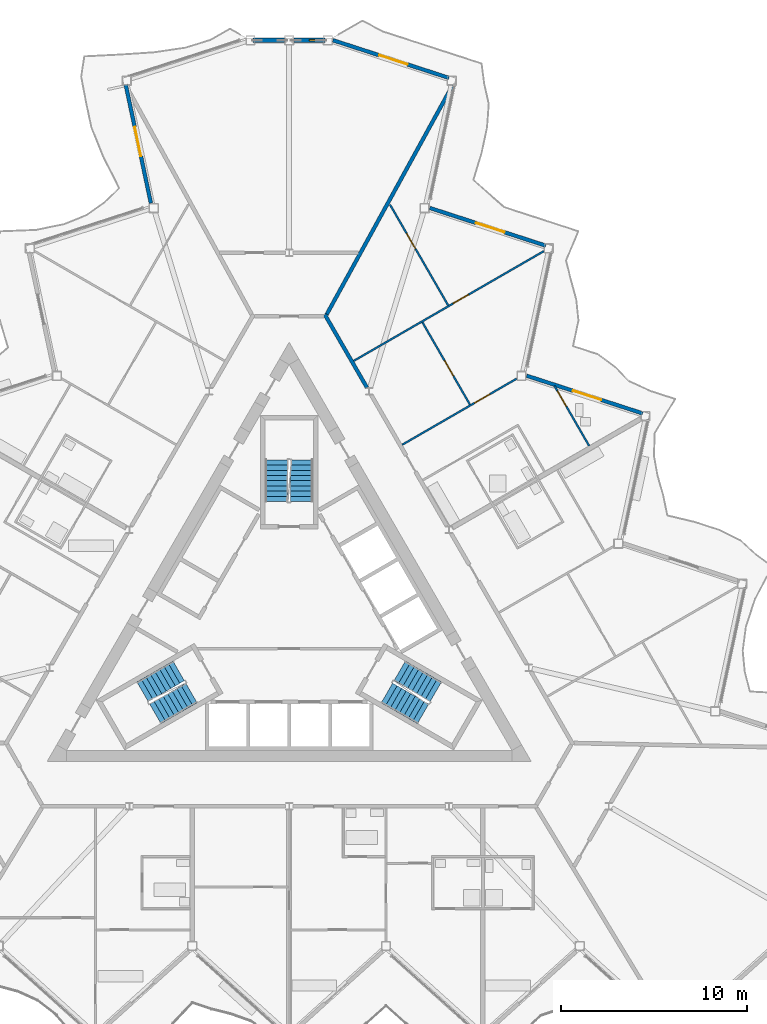
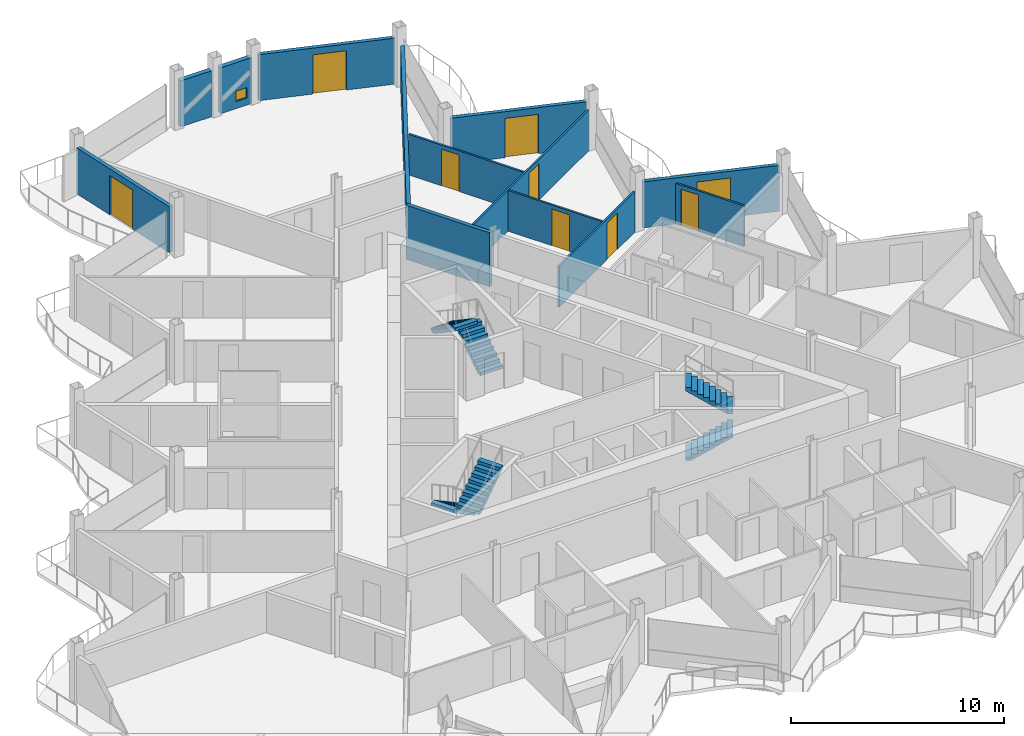
# One storey, part 17 of 25: 13 walls, 9 doors, 6 stair flights, 1 window, 10 openings, 3 elements without a shape of their own.
"""IFC4 building model written with IfcOpenShell, lengths in metres."""

from ifc_helpers import new_model, si_unit, direction, frame, frame_2d, origin, place, context, subcontext, project, spatial, polyline, rectangle, outline, extrude, material, layer, layer_set, type_object, element, fill, aggregate, save


model = new_model("IFC4")

# Units and contexts
model_context = context("Model", 3, precision=1e-05, world=origin(), true_north=direction((0.0, 1.0)))
body_context = subcontext(model_context, "Body", "Model", "MODEL_VIEW")
ifc_project = project(units=[si_unit("LENGTHUNIT", "METRE"), si_unit("AREAUNIT", "SQUARE_METRE"), si_unit("VOLUMEUNIT", "CUBIC_METRE"), si_unit("PLANEANGLEUNIT", "RADIAN"), si_unit("MASSUNIT", "GRAM", prefix="KILO")], contexts=[model_context])

# Site, building, storey
site_placement = place(None, origin())
site = spatial("IfcSite", under=ifc_project, at=site_placement, CompositionType="ELEMENT")
building_placement = place(site_placement, origin())
building = spatial("IfcBuilding", under=site, at=building_placement, Name="Cormorant Prow Tower", CompositionType="ELEMENT")
storey_placement = place(building_placement, frame((0.0, 0.0, 395.0)))
storey = spatial("IfcBuildingStorey", under=building, at=storey_placement, Name="L90", CompositionType="ELEMENT", Elevation=395.0)

# Walls
ifc_material_1 = material(Name="Gypsum board corridor wall")
ifc_layer_1 = layer(ifc_material_1, 0.199951171875)
ifc_layer_set_1 = layer_set([ifc_layer_1], Name="Gypsum board corridor wall")
wall_type_1 = type_object("IfcWallType", Name="Corridor wall 200", PredefinedType="PARTITIONING", material=ifc_layer_set_1)
wall_1_placement = place(storey_placement, frame((1.9130859375, 16.497802734375, 0.0), z_axis=(0.0, 0.0, 1.0), x_axis=(0.499974648164, -0.866040040179, 0.0)))
element("IfcWall", 1, at=wall_1_placement, inside=storey, type_object=wall_type_1, Name="Corridor wall", PredefinedType="PARTITIONING", context=body_context, shape_type="SweptSolid", body=[
    extrude(rectangle(XDim=4.525146484375, YDim=0.199951171875, at=frame_2d((2.2626953125, 0.0))), origin(), (0.0, 0.0, 1.0), 3.10009765625),
])
ifc_material_2 = material(Name="Gypsum board demising wall")
ifc_layer_2 = layer(ifc_material_2, 0.199951171875)
ifc_layer_set_2 = layer_set([ifc_layer_2], Name="Gypsum board demising wall")
wall_type_2 = type_object("IfcWallType", Name="Demising wall 200", PredefinedType="PARTITIONING", material=ifc_layer_set_2)
wall_2_placement = place(storey_placement, frame((2.01123046875, 16.498779296875, 0.0), z_axis=(0.0, 0.0, 1.0), x_axis=(0.481548701843, 0.876419333284, 0.0)))
element("IfcWall", 2, at=wall_2_placement, inside=storey, type_object=wall_type_2, Name="Demising wall", PredefinedType="PARTITIONING", context=body_context, shape_type="SweptSolid", body=[
    extrude(rectangle(XDim=14.032470703125, YDim=0.199951171875, at=frame_2d((7.01611328125, 0.0))), origin(), (0.0, 0.0, 1.0), 2.330078125),
])

# Wall, opening, door
ifc_material_3 = material(Name="Gypsum board partition")
ifc_layer_3 = layer(ifc_material_3, 0.10009765625)
ifc_layer_set_3 = layer_set([ifc_layer_3], Name="Gypsum board partition")
wall_type_3 = type_object("IfcWallType", Name="Internal partition 100", PredefinedType="PARTITIONING", material=ifc_layer_set_3)
wall_3_placement = place(storey_placement, frame((3.465087890625, 14.009521484375, 0.0), z_axis=(0.0, 0.0, 1.0), x_axis=(0.866032376801, 0.499987922186, 0.0)))
wall_3 = element("IfcWall", 3, at=wall_3_placement, inside=storey, type_object=wall_type_3, Name="Internal partition", PredefinedType="PARTITIONING", context=body_context, shape_type="SweptSolid", body=[
    extrude(rectangle(XDim=11.781982421875, YDim=0.10009765625, at=frame_2d((5.89111328125, 0.0))), origin(), (0.0, 0.0, 1.0), 2.330078125),
])
opening_1_placement = place(wall_3_placement, frame((6.16845703125, 0.0, 0.0)))
opening_1 = element("IfcOpeningElement", 4, at=opening_1_placement, cuts=wall_3, Name="Opening L90-F30", PredefinedType="OPENING", context=body_context, shape_type="SweptSolid", body=[
    extrude(rectangle(XDim=0.949951171875, YDim=2.10009765625, at=frame_2d((0.47509765625, 1.050048828125))), frame((0.0, 0.06005859375, 0.0), z_axis=(0.0, -1.0, 0.0), x_axis=(1.0, 0.0, 0.0)), (0.0, 0.0, 1.0), 0.1201171875),
])
ifc_material_4 = material(Name="Timber door leaf", Category="wood")
door_type_1 = type_object("IfcDoorType", Name="Bathroom door 950x2100", OperationType="NOTDEFINED", PredefinedType="DOOR", material=ifc_material_4)
door_1_placement = place(opening_1_placement, origin())
door_1 = element("IfcDoor", 5, at=door_1_placement, inside=storey, type_object=door_type_1, Name="Bedroom door", OperationType="SINGLE_SWING_LEFT", OverallHeight=2.10009765625, OverallWidth=0.949951171875, PredefinedType="DOOR", context=body_context, shape_type="SweptSolid", body=[
    extrude(rectangle(XDim=0.949951171875, YDim=2.10009765625, at=frame_2d((0.47509765625, 1.050048828125))), frame((0.0, 0.02490234375, 0.0), z_axis=(0.0, -1.0, 0.0), x_axis=(1.0, 0.0, 0.0)), (0.0, 0.0, 1.0), 0.050048828125),
])
fill(opening_1, door_1)

wall_4_placement = place(storey_placement, frame((6.065185546875, 9.506103515625, 0.0), z_axis=(0.0, 0.0, 1.0), x_axis=(0.866018949465, 0.500011179042, 0.0)))
wall_4 = element("IfcWall", 6, at=wall_4_placement, inside=storey, type_object=wall_type_3, Name="Internal partition", PredefinedType="PARTITIONING", context=body_context, shape_type="SweptSolid", body=[
    extrude(rectangle(XDim=7.099853515625, YDim=0.10009765625, at=frame_2d((3.5498046875, 0.0))), origin(), (0.0, 0.0, 1.0), 2.330078125),
])
opening_2_placement = place(wall_4_placement, frame((4.487548828125, 0.0, 0.0)))
opening_2 = element("IfcOpeningElement", 7, at=opening_2_placement, cuts=wall_4, Name="Opening L90-F28", PredefinedType="OPENING", context=body_context, shape_type="SweptSolid", body=[
    extrude(rectangle(XDim=0.949951171875, YDim=2.10009765625, at=frame_2d((0.47509765625, 1.050048828125))), frame((0.0, 0.06005859375, 0.0), z_axis=(0.0, -1.0, 0.0), x_axis=(1.0, 0.0, 0.0)), (0.0, 0.0, 1.0), 0.1201171875),
])
door_2_placement = place(opening_2_placement, origin())
door_2 = element("IfcDoor", 8, at=door_2_placement, inside=storey, type_object=door_type_1, Name="Living room door", OperationType="SINGLE_SWING_LEFT", OverallHeight=2.10009765625, OverallWidth=0.949951171875, PredefinedType="DOOR", context=body_context, shape_type="SweptSolid", body=[
    extrude(rectangle(XDim=0.949951171875, YDim=2.10009765625, at=frame_2d((0.47509765625, 1.050048828125))), frame((0.0, 0.02490234375, 0.0), z_axis=(0.0, -1.0, 0.0), x_axis=(1.0, 0.0, 0.0)), (0.0, 0.0, 1.0), 0.050048828125),
])
fill(opening_2, door_2)

wall_5_placement = place(storey_placement, frame((5.41748046875, 22.394287109375, 0.0), z_axis=(0.0, 0.0, 1.0), x_axis=(0.499975529996, -0.866039531087, 0.0)))
wall_5 = element("IfcWall", 9, at=wall_5_placement, inside=storey, type_object=wall_type_3, Name="Internal partition", PredefinedType="PARTITIONING", context=body_context, shape_type="SweptSolid", body=[
    extrude(rectangle(XDim=6.235107421875, YDim=0.10009765625, at=frame_2d((3.11767578125, 0.0))), origin(), (0.0, 0.0, 1.0), 2.330078125),
])
opening_3_placement = place(wall_5_placement, frame((1.77734375, 0.0, 0.0)))
opening_3 = element("IfcOpeningElement", 10, at=opening_3_placement, cuts=wall_5, Name="Opening L90-F31", PredefinedType="OPENING", context=body_context, shape_type="SweptSolid", body=[
    extrude(rectangle(XDim=0.949951171875, YDim=2.10009765625, at=frame_2d((0.47509765625, 1.050048828125))), frame((0.0, 0.06005859375, 0.0), z_axis=(0.0, -1.0, 0.0), x_axis=(1.0, 0.0, 0.0)), (0.0, 0.0, 1.0), 0.1201171875),
])
door_3_placement = place(opening_3_placement, origin())
door_3 = element("IfcDoor", 11, at=door_3_placement, inside=storey, type_object=door_type_1, Name="Bedroom door", OperationType="SINGLE_SWING_LEFT", OverallHeight=2.10009765625, OverallWidth=0.949951171875, PredefinedType="DOOR", context=body_context, shape_type="SweptSolid", body=[
    extrude(rectangle(XDim=0.949951171875, YDim=2.10009765625, at=frame_2d((0.47509765625, 1.050048828125))), frame((0.0, 0.02490234375, 0.0), z_axis=(0.0, -1.0, 0.0), x_axis=(1.0, 0.0, 0.0)), (0.0, 0.0, 1.0), 0.050048828125),
])
fill(opening_3, door_3)

wall_6_placement = place(storey_placement, frame((7.154296875, 16.081787109375, 0.0), z_axis=(0.0, 0.0, 1.0), x_axis=(0.499984882974, -0.866034131428, 0.0)))
wall_6 = element("IfcWall", 12, at=wall_6_placement, inside=storey, type_object=wall_type_3, Name="Internal partition", PredefinedType="PARTITIONING", context=body_context, shape_type="SweptSolid", body=[
    extrude(rectangle(XDim=5.100341796875, YDim=0.10009765625, at=frame_2d((2.55029296875, 0.0))), origin(), (0.0, 0.0, 1.0), 2.330078125),
])
opening_4_placement = place(wall_6_placement, frame((2.379150390625, 0.0, 0.0)))
opening_4 = element("IfcOpeningElement", 13, at=opening_4_placement, cuts=wall_6, Name="Opening L90-F29", PredefinedType="OPENING", context=body_context, shape_type="SweptSolid", body=[
    extrude(rectangle(XDim=0.949951171875, YDim=2.10009765625, at=frame_2d((0.47509765625, 1.050048828125))), frame((0.0, 0.06005859375, 0.0), z_axis=(0.0, -1.0, 0.0), x_axis=(1.0, 0.0, 0.0)), (0.0, 0.0, 1.0), 0.1201171875),
])
door_4_placement = place(opening_4_placement, origin())
door_4 = element("IfcDoor", 14, at=door_4_placement, inside=storey, type_object=door_type_1, Name="Bedroom door", OperationType="SINGLE_SWING_RIGHT", OverallHeight=2.10009765625, OverallWidth=0.949951171875, PredefinedType="DOOR", context=body_context, shape_type="SweptSolid", body=[
    extrude(rectangle(XDim=0.949951171875, YDim=2.10009765625, at=frame_2d((0.47509765625, 1.050048828125))), frame((0.0, 0.02490234375, 0.0), z_axis=(0.0, -1.0, 0.0), x_axis=(1.0, 0.0, 0.0)), (0.0, 0.0, 1.0), 0.050048828125),
])
fill(opening_4, door_4)

wall_7_placement = place(storey_placement, frame((14.244384765625, 12.671630859375, 0.0), z_axis=(0.0, 0.0, 1.0), x_axis=(0.500021098671, -0.866013222118, 0.0)))
wall_7 = element("IfcWall", 15, at=wall_7_placement, inside=storey, type_object=wall_type_3, Name="Internal partition", PredefinedType="PARTITIONING", context=body_context, shape_type="SweptSolid", body=[
    extrude(rectangle(XDim=3.726806640625, YDim=0.10009765625, at=frame_2d((1.86328125, 0.0))), origin(), (0.0, 0.0, 1.0), 2.330078125),
])
opening_5_placement = place(wall_7_placement, frame((0.32080078125, 0.0, 0.0)))
opening_5 = element("IfcOpeningElement", 16, at=opening_5_placement, cuts=wall_7, Name="Opening L90-F26", PredefinedType="OPENING", context=body_context, shape_type="SweptSolid", body=[
    extrude(rectangle(XDim=0.949951171875, YDim=2.10009765625, at=frame_2d((0.47509765625, 1.050048828125))), frame((0.0, 0.06005859375, 0.0), z_axis=(0.0, -1.0, 0.0), x_axis=(1.0, 0.0, 0.0)), (0.0, 0.0, 1.0), 0.1201171875),
])
door_5_placement = place(opening_5_placement, origin())
door_5 = element("IfcDoor", 17, at=door_5_placement, inside=storey, type_object=door_type_1, Name="Living room door", OperationType="SINGLE_SWING_LEFT", OverallHeight=2.10009765625, OverallWidth=0.949951171875, PredefinedType="DOOR", context=body_context, shape_type="SweptSolid", body=[
    extrude(rectangle(XDim=0.949951171875, YDim=2.10009765625, at=frame_2d((0.47509765625, 1.050048828125))), frame((0.0, 0.02490234375, 0.0), z_axis=(0.0, -1.0, 0.0), x_axis=(1.0, 0.0, 0.0)), (0.0, 0.0, 1.0), 0.050048828125),
])
fill(opening_5, door_5)

# Wall, opening, window
ifc_material_5 = material(Name="Terracotta", Category="masonry")
ifc_layer_4 = layer(ifc_material_5, 0.25)
ifc_layer_set_4 = layer_set([ifc_layer_4], Name="Terracotta")
wall_type_4 = type_object("IfcWallType", Name="Terracotta bay wall 250", PredefinedType="SOLIDWALL", material=ifc_layer_set_4)
wall_8_placement = place(storey_placement, frame((1.93212890625, 31.22412109375, 0.0), z_axis=(0.0, 0.0, 1.0), x_axis=(-1.0, 0.0, 0.0)))
wall_8 = element("IfcWall", 18, at=wall_8_placement, inside=storey, type_object=wall_type_4, Name="Terracotta bay wall N00", PredefinedType="SOLIDWALL", context=body_context, shape_type="SweptSolid", body=[
    extrude(rectangle(XDim=1.68212890625, YDim=0.25, at=frame_2d((0.841064453125, 0.0))), origin(), (0.0, 0.0, 1.0), 2.6337890625),
])
opening_6_placement = place(wall_8_placement, frame((0.25, 0.0, 0.39990234375)))
opening_6 = element("IfcOpeningElement", 19, at=opening_6_placement, cuts=wall_8, Name="Opening WN10", PredefinedType="OPENING", context=body_context, shape_type="SweptSolid", body=[
    extrude(rectangle(XDim=0.60009765625, YDim=0.60009765625, at=frame_2d((0.300048828125, 0.300048828125))), frame((0.0, 0.135009765625, 0.0), z_axis=(0.0, -1.0, 0.0), x_axis=(1.0, 0.0, 0.0)), (0.0, 0.0, 1.0), 0.27001953125),
])
ifc_material_6 = material(Name="Aluminium 6063-T6", Category="aluminium")
window_type = type_object("IfcWindowType", Name="Corner bay window 600x600", PartitioningType="SINGLE_PANEL", PredefinedType="WINDOW", material=ifc_material_6)
window_placement = place(opening_6_placement, origin())
window = element("IfcWindow", 20, at=window_placement, inside=storey, type_object=window_type, Name="Corner bay window N00", OverallHeight=0.60009765625, OverallWidth=0.60009765625, PartitioningType="SINGLE_PANEL", PredefinedType="WINDOW", context=body_context, shape_type="SweptSolid", body=[
    extrude(rectangle(XDim=0.60009765625, YDim=0.60009765625, at=frame_2d((0.300048828125, 0.300048828125))), frame((0.0, 0.030029296875, 0.0), z_axis=(0.0, -1.0, 0.0), x_axis=(1.0, 0.0, 0.0)), (0.0, 0.0, 1.0), 0.06005859375),
])
fill(opening_6, window)

# Wall
wall_9_placement = place(storey_placement, frame((-0.25, 31.22412109375, 0.0), z_axis=(0.0, 0.0, 1.0), x_axis=(-1.0, 0.0, 0.0)))
element("IfcWall", 21, at=wall_9_placement, inside=storey, type_object=wall_type_4, Name="Terracotta bay wall N01", PredefinedType="SOLIDWALL", context=body_context, shape_type="SweptSolid", body=[
    extrude(rectangle(XDim=1.68212890625, YDim=0.25, at=frame_2d((0.841064453125, 0.0))), origin(), (0.0, 0.0, 1.0), 2.6337890625),
])

# Wall, opening, door
ifc_material_7 = material(Name="Terracotta", Category="masonry")
ifc_layer_5 = layer(ifc_material_7, 0.199951171875)
ifc_layer_set_5 = layer_set([ifc_layer_5], Name="Terracotta")
wall_type_5 = type_object("IfcWallType", Name="Terracotta jamb wall 200", PredefinedType="SOLIDWALL", material=ifc_layer_set_5)
wall_10_placement = place(storey_placement, frame((18.973876953125, 11.19140625, 0.0), z_axis=(0.0, 0.0, 1.0), x_axis=(-0.951057912068, 0.309012698595, 0.0)))
wall_10 = element("IfcWall", 22, at=wall_10_placement, inside=storey, type_object=wall_type_5, Name="Terracotta jamb wall ENE05", PredefinedType="SOLIDWALL", context=body_context, shape_type="SweptSolid", body=[
    extrude(rectangle(XDim=6.545654296875, YDim=0.199951171875, at=frame_2d((3.27294921875, 0.0))), origin(), (0.0, 0.0, 1.0), 2.6337890625),
])
opening_7_placement = place(wall_10_placement, frame((2.332763671875, 0.0, 0.0)))
opening_7 = element("IfcOpeningElement", 23, at=opening_7_placement, cuts=wall_10, Name="Opening ED90.08", PredefinedType="OPENING", context=body_context, shape_type="SweptSolid", body=[
    extrude(rectangle(XDim=1.60009765625, YDim=2.25, at=frame_2d((0.800048828125, 1.125))), frame((0.0, 0.10986328125, 0.0), z_axis=(0.0, -1.0, 0.0), x_axis=(1.0, 0.0, 0.0)), (0.0, 0.0, 1.0), 0.219970703125),
])
ifc_material_8 = material(Name="Aluminium 6063-T6", Category="aluminium")
door_type_2 = type_object("IfcDoorType", Name="Balcony door 1600x2250", OperationType="DOUBLE_DOOR_SINGLE_SWING", PredefinedType="DOOR", material=ifc_material_8)
door_6_placement = place(opening_7_placement, origin())
door_6 = element("IfcDoor", 24, at=door_6_placement, inside=storey, type_object=door_type_2, Name="Balcony door ENE05 ED90.08", OperationType="DOUBLE_DOOR_SINGLE_SWING", OverallHeight=2.25, OverallWidth=1.60009765625, PredefinedType="DOOR", context=body_context, shape_type="SweptSolid", body=[
    extrude(rectangle(XDim=1.60009765625, YDim=2.25, at=frame_2d((0.800048828125, 1.125))), frame((0.0, 0.02490234375, 0.0), z_axis=(0.0, -1.0, 0.0), x_axis=(1.0, 0.0, 0.0)), (0.0, 0.0, 1.0), 0.050048828125),
])
fill(opening_7, door_6)

wall_11_placement = place(storey_placement, frame((13.77392578125, 20.197998046875, 0.0), z_axis=(0.0, 0.0, 1.0), x_axis=(-0.951046950169, 0.309046434335, 0.0)))
wall_11 = element("IfcWall", 25, at=wall_11_placement, inside=storey, type_object=wall_type_5, Name="Terracotta jamb wall ENE07", PredefinedType="SOLIDWALL", context=body_context, shape_type="SweptSolid", body=[
    extrude(rectangle(XDim=6.5458984375, YDim=0.199951171875, at=frame_2d((3.27294921875, 0.0))), origin(), (0.0, 0.0, 1.0), 2.6337890625),
])
opening_8_placement = place(wall_11_placement, frame((2.332763671875, 0.0, 0.0)))
opening_8 = element("IfcOpeningElement", 26, at=opening_8_placement, cuts=wall_11, Name="Opening ED90.09", PredefinedType="OPENING", context=body_context, shape_type="SweptSolid", body=[
    extrude(rectangle(XDim=1.60009765625, YDim=2.25, at=frame_2d((0.800048828125, 1.125))), frame((0.0, 0.10986328125, 0.0), z_axis=(0.0, -1.0, 0.0), x_axis=(1.0, 0.0, 0.0)), (0.0, 0.0, 1.0), 0.219970703125),
])
door_7_placement = place(opening_8_placement, origin())
door_7 = element("IfcDoor", 27, at=door_7_placement, inside=storey, type_object=door_type_2, Name="Balcony door ENE07 ED90.09", OperationType="DOUBLE_DOOR_SINGLE_SWING", OverallHeight=2.25, OverallWidth=1.60009765625, PredefinedType="DOOR", context=body_context, shape_type="SweptSolid", body=[
    extrude(rectangle(XDim=1.60009765625, YDim=2.25, at=frame_2d((0.800048828125, 1.125))), frame((0.0, 0.02490234375, 0.0), z_axis=(0.0, -1.0, 0.0), x_axis=(1.0, 0.0, 0.0)), (0.0, 0.0, 1.0), 0.050048828125),
])
fill(opening_8, door_7)

wall_12_placement = place(storey_placement, frame((8.573974609375, 29.204833984375, 0.0), z_axis=(0.0, 0.0, 1.0), x_axis=(-0.951057912068, 0.309012698595, 0.0)))
wall_12 = element("IfcWall", 28, at=wall_12_placement, inside=storey, type_object=wall_type_5, Name="Terracotta jamb wall ENE09", PredefinedType="SOLIDWALL", context=body_context, shape_type="SweptSolid", body=[
    extrude(rectangle(XDim=6.545654296875, YDim=0.199951171875, at=frame_2d((3.27294921875, 0.0))), origin(), (0.0, 0.0, 1.0), 2.6337890625),
])
opening_9_placement = place(wall_12_placement, frame((2.332763671875, 0.0, 0.0)))
opening_9 = element("IfcOpeningElement", 29, at=opening_9_placement, cuts=wall_12, Name="Opening ED90.10", PredefinedType="OPENING", context=body_context, shape_type="SweptSolid", body=[
    extrude(rectangle(XDim=1.60009765625, YDim=2.25, at=frame_2d((0.800048828125, 1.125))), frame((0.0, 0.10986328125, 0.0), z_axis=(0.0, -1.0, 0.0), x_axis=(1.0, 0.0, 0.0)), (0.0, 0.0, 1.0), 0.219970703125),
])
door_8_placement = place(opening_9_placement, origin())
door_8 = element("IfcDoor", 30, at=door_8_placement, inside=storey, type_object=door_type_2, Name="Balcony door ENE09 ED90.10", OperationType="DOUBLE_DOOR_SINGLE_SWING", OverallHeight=2.25, OverallWidth=1.60009765625, PredefinedType="DOOR", context=body_context, shape_type="SweptSolid", body=[
    extrude(rectangle(XDim=1.60009765625, YDim=2.25, at=frame_2d((0.800048828125, 1.125))), frame((0.0, 0.02490234375, 0.0), z_axis=(0.0, -1.0, 0.0), x_axis=(1.0, 0.0, 0.0)), (0.0, 0.0, 1.0), 0.050048828125),
])
fill(opening_9, door_8)

wall_13_placement = place(storey_placement, frame((-8.779052734375, 28.849609375, 0.0), z_axis=(0.0, 0.0, 1.0), x_axis=(0.207910765171, -0.978147797486, 0.0)))
wall_13 = element("IfcWall", 31, at=wall_13_placement, inside=storey, type_object=wall_type_5, Name="Terracotta jamb wall WNW01", PredefinedType="SOLIDWALL", context=body_context, shape_type="SweptSolid", body=[
    extrude(rectangle(XDim=6.512451171875, YDim=0.199951171875, at=frame_2d((3.25634765625, 0.0))), origin(), (0.0, 0.0, 1.0), 2.6337890625),
])
opening_10_placement = place(wall_13_placement, frame((2.332763671875, 0.0, 0.0)))
opening_10 = element("IfcOpeningElement", 32, at=opening_10_placement, cuts=wall_13, Name="Opening ED90.11", PredefinedType="OPENING", context=body_context, shape_type="SweptSolid", body=[
    extrude(rectangle(XDim=1.60009765625, YDim=2.25, at=frame_2d((0.800048828125, 1.125))), frame((0.0, 0.10986328125, 0.0), z_axis=(0.0, -1.0, 0.0), x_axis=(1.0, 0.0, 0.0)), (0.0, 0.0, 1.0), 0.219970703125),
])
door_9_placement = place(opening_10_placement, origin())
door_9 = element("IfcDoor", 33, at=door_9_placement, inside=storey, type_object=door_type_2, Name="Balcony door WNW01 ED90.11", OperationType="DOUBLE_DOOR_SINGLE_SWING", OverallHeight=2.25, OverallWidth=1.60009765625, PredefinedType="DOOR", context=body_context, shape_type="SweptSolid", body=[
    extrude(rectangle(XDim=1.60009765625, YDim=2.25, at=frame_2d((0.800048828125, 1.125))), frame((0.0, 0.02490234375, 0.0), z_axis=(0.0, -1.0, 0.0), x_axis=(1.0, 0.0, 0.0)), (0.0, 0.0, 1.0), 0.050048828125),
])
fill(opening_10, door_9)

# Stair, stair flights
ifc_material_9 = material(Name="Exit stair 18 risers")
stair_type = type_object("IfcStairType", Name="Exit stair 18 risers", PredefinedType="HALF_TURN_STAIR", material=ifc_material_9)
stair_1_placement = place(storey_placement, origin())
stair_1 = element("IfcStair", 34, at=stair_1_placement, inside=storey, type_object=stair_type, Name="L90 Exit stair ST1", PredefinedType="HALF_TURN_STAIR")
ifc_material_10 = material(Name="Concrete 5000 psi", Category="concrete")
stair_flight_type = type_object("IfcStairFlightType", Name="Stair flight 1219", PredefinedType="STRAIGHT", material=ifc_material_10)
stair_flight_1_placement = place(storey_placement, frame((-5.93310546875, -2.635009765625, 0.0), z_axis=(0.0, 0.0, 1.0), x_axis=(-0.866025403784, -0.5, 0.0)))
stair_flight_1 = element("IfcStairFlight", 35, at=stair_flight_1_placement, type_object=stair_flight_type, Name="ST1 flight 1", NumberOfRisers=9, NumberOfTreads=8, PredefinedType="STRAIGHT", RiserHeight=0.188888889, TreadLength=0.28, context=body_context, shape_type="SweptSolid", body=[
    extrude(outline(polyline([(0.0, 0.0), (0.0, 0.18896484375), (0.280029296875, 0.18896484375), (0.280029296875, 0.377685546875), (0.56005859375, 0.377685546875), (0.56005859375, 0.566650390625), (0.840087890625, 0.566650390625), (0.840087890625, 0.755615234375), (1.1201171875, 0.755615234375), (1.1201171875, 0.9443359375), (1.39990234375, 0.9443359375), (1.39990234375, 1.13330078125), (1.679931640625, 1.13330078125), (1.679931640625, 1.322265625), (1.9599609375, 1.322265625), (1.9599609375, 1.51123046875), (2.239990234375, 1.51123046875), (2.239990234375, 1.699951171875), (2.239990234375, 1.330322265625), (0.26806640625, 0.0), (0.0, 0.0)])), frame((0.0, 0.609375, 0.0), z_axis=(0.0, -1.0, 0.0), x_axis=(1.0, 0.0, 0.0)), (0.0, 0.0, 1.0), 1.218994140625),
])
stair_flight_2_placement = place(storey_placement, frame((-7.1884765625, -4.940673828125, 1.699951171875), z_axis=(0.0, 0.0, 1.0), x_axis=(0.866025403784, 0.5, 0.0)))
stair_flight_2 = element("IfcStairFlight", 36, at=stair_flight_2_placement, type_object=stair_flight_type, Name="ST1 flight 2", NumberOfRisers=9, NumberOfTreads=8, PredefinedType="STRAIGHT", RiserHeight=0.188888889, TreadLength=0.28, context=body_context, shape_type="SweptSolid", body=[
    extrude(outline(polyline([(0.0, 0.0), (0.0, 0.18896484375), (0.280029296875, 0.18896484375), (0.280029296875, 0.377685546875), (0.56005859375, 0.377685546875), (0.56005859375, 0.566650390625), (0.840087890625, 0.566650390625), (0.840087890625, 0.755615234375), (1.1201171875, 0.755615234375), (1.1201171875, 0.9443359375), (1.39990234375, 0.9443359375), (1.39990234375, 1.13330078125), (1.679931640625, 1.13330078125), (1.679931640625, 1.322265625), (1.9599609375, 1.322265625), (1.9599609375, 1.51123046875), (2.239990234375, 1.51123046875), (2.239990234375, 1.699951171875), (2.239990234375, 1.330322265625), (0.26806640625, 0.0), (0.0, 0.0)])), frame((0.0, 0.609375, 0.0), z_axis=(0.0, -1.0, 0.0), x_axis=(1.0, 0.0, 0.0)), (0.0, 0.0, 1.0), 1.218994140625),
])
aggregate(stair_1, [stair_flight_1, stair_flight_2])

stair_2_placement = place(storey_placement, origin())
stair_2 = element("IfcStair", 37, at=stair_2_placement, inside=storey, type_object=stair_type, Name="L90 Exit stair ST2", PredefinedType="HALF_TURN_STAIR")
stair_flight_3_placement = place(storey_placement, frame((5.24853515625, -3.82080078125, 0.0), z_axis=(0.0, 0.0, 1.0), x_axis=(0.866025403784, -0.5, 0.0)))
stair_flight_3 = element("IfcStairFlight", 38, at=stair_flight_3_placement, type_object=stair_flight_type, Name="ST2 flight 1", NumberOfRisers=9, NumberOfTreads=8, PredefinedType="STRAIGHT", RiserHeight=0.188888889, TreadLength=0.28, context=body_context, shape_type="SweptSolid", body=[
    extrude(outline(polyline([(0.0, 0.0), (0.0, 0.18896484375), (0.280029296875, 0.18896484375), (0.280029296875, 0.377685546875), (0.56005859375, 0.377685546875), (0.56005859375, 0.566650390625), (0.840087890625, 0.566650390625), (0.840087890625, 0.755615234375), (1.1201171875, 0.755615234375), (1.1201171875, 0.9443359375), (1.39990234375, 0.9443359375), (1.39990234375, 1.13330078125), (1.679931640625, 1.13330078125), (1.679931640625, 1.322265625), (1.9599609375, 1.322265625), (1.9599609375, 1.51123046875), (2.239990234375, 1.51123046875), (2.239990234375, 1.699951171875), (2.239990234375, 1.330322265625), (0.26806640625, 0.0), (0.0, 0.0)])), frame((0.0, 0.609375, 0.0), z_axis=(0.0, -1.0, 0.0), x_axis=(1.0, 0.0, 0.0)), (0.0, 0.0, 1.0), 1.218994140625),
])
stair_flight_4_placement = place(storey_placement, frame((7.873046875, -3.755126953125, 1.699951171875), z_axis=(0.0, 0.0, 1.0), x_axis=(-0.866025403784, 0.5, 0.0)))
stair_flight_4 = element("IfcStairFlight", 39, at=stair_flight_4_placement, type_object=stair_flight_type, Name="ST2 flight 2", NumberOfRisers=9, NumberOfTreads=8, PredefinedType="STRAIGHT", RiserHeight=0.188888889, TreadLength=0.28, context=body_context, shape_type="SweptSolid", body=[
    extrude(outline(polyline([(0.0, 0.0), (0.0, 0.18896484375), (0.280029296875, 0.18896484375), (0.280029296875, 0.377685546875), (0.56005859375, 0.377685546875), (0.56005859375, 0.566650390625), (0.840087890625, 0.566650390625), (0.840087890625, 0.755615234375), (1.1201171875, 0.755615234375), (1.1201171875, 0.9443359375), (1.39990234375, 0.9443359375), (1.39990234375, 1.13330078125), (1.679931640625, 1.13330078125), (1.679931640625, 1.322265625), (1.9599609375, 1.322265625), (1.9599609375, 1.51123046875), (2.239990234375, 1.51123046875), (2.239990234375, 1.699951171875), (2.239990234375, 1.330322265625), (0.26806640625, 0.0), (0.0, 0.0)])), frame((0.0, 0.609375, 0.0), z_axis=(0.0, -1.0, 0.0), x_axis=(1.0, 0.0, 0.0)), (0.0, 0.0, 1.0), 1.218994140625),
])
aggregate(stair_2, [stair_flight_3, stair_flight_4])

stair_3_placement = place(storey_placement, origin())
stair_3 = element("IfcStair", 40, at=stair_3_placement, inside=storey, type_object=stair_type, Name="L90 Exit stair ST3", PredefinedType="HALF_TURN_STAIR")
stair_flight_5_placement = place(storey_placement, frame((0.6845703125, 6.455810546875, 0.0), z_axis=(0.0, 0.0, 1.0), x_axis=(0.0, 1.0, 0.0)))
stair_flight_5 = element("IfcStairFlight", 41, at=stair_flight_5_placement, type_object=stair_flight_type, Name="ST3 flight 1", NumberOfRisers=9, NumberOfTreads=8, PredefinedType="STRAIGHT", RiserHeight=0.188888889, TreadLength=0.28, context=body_context, shape_type="SweptSolid", body=[
    extrude(outline(polyline([(0.0, 0.0), (0.0, 0.18896484375), (0.280029296875, 0.18896484375), (0.280029296875, 0.377685546875), (0.56005859375, 0.377685546875), (0.56005859375, 0.566650390625), (0.840087890625, 0.566650390625), (0.840087890625, 0.755615234375), (1.1201171875, 0.755615234375), (1.1201171875, 0.9443359375), (1.39990234375, 0.9443359375), (1.39990234375, 1.13330078125), (1.679931640625, 1.13330078125), (1.679931640625, 1.322265625), (1.9599609375, 1.322265625), (1.9599609375, 1.51123046875), (2.239990234375, 1.51123046875), (2.239990234375, 1.699951171875), (2.239990234375, 1.330322265625), (0.26806640625, 0.0), (0.0, 0.0)])), frame((0.0, 0.609375, 0.0), z_axis=(0.0, -1.0, 0.0), x_axis=(1.0, 0.0, 0.0)), (0.0, 0.0, 1.0), 1.218994140625),
])
stair_flight_6_placement = place(storey_placement, frame((-0.6845703125, 8.69580078125, 1.699951171875), z_axis=(0.0, 0.0, 1.0), x_axis=(0.0, -1.0, 0.0)))
stair_flight_6 = element("IfcStairFlight", 42, at=stair_flight_6_placement, type_object=stair_flight_type, Name="ST3 flight 2", NumberOfRisers=9, NumberOfTreads=8, PredefinedType="STRAIGHT", RiserHeight=0.188888889, TreadLength=0.28, context=body_context, shape_type="SweptSolid", body=[
    extrude(outline(polyline([(0.0, 0.0), (0.0, 0.18896484375), (0.280029296875, 0.18896484375), (0.280029296875, 0.377685546875), (0.56005859375, 0.377685546875), (0.56005859375, 0.566650390625), (0.840087890625, 0.566650390625), (0.840087890625, 0.755615234375), (1.1201171875, 0.755615234375), (1.1201171875, 0.9443359375), (1.39990234375, 0.9443359375), (1.39990234375, 1.13330078125), (1.679931640625, 1.13330078125), (1.679931640625, 1.322265625), (1.9599609375, 1.322265625), (1.9599609375, 1.51123046875), (2.239990234375, 1.51123046875), (2.239990234375, 1.699951171875), (2.239990234375, 1.330322265625), (0.26806640625, 0.0), (0.0, 0.0)])), frame((0.0, 0.609375, 0.0), z_axis=(0.0, -1.0, 0.0), x_axis=(1.0, 0.0, 0.0)), (0.0, 0.0, 1.0), 1.218994140625),
])
aggregate(stair_3, [stair_flight_5, stair_flight_6])

save(model, "model.ifc")
